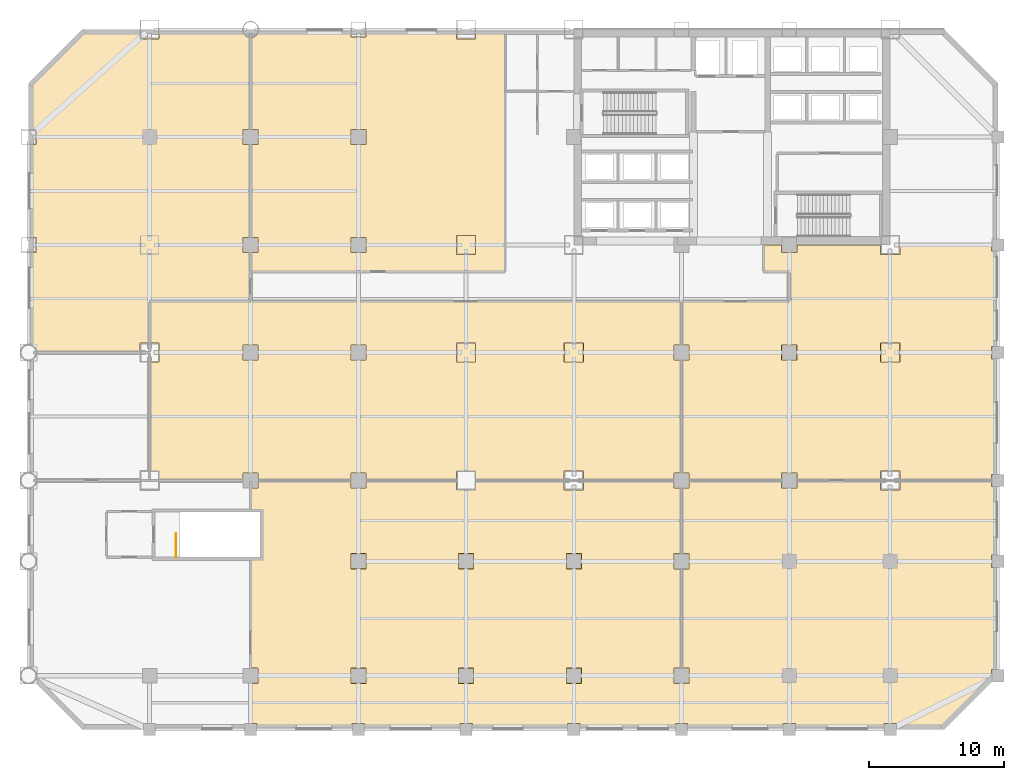
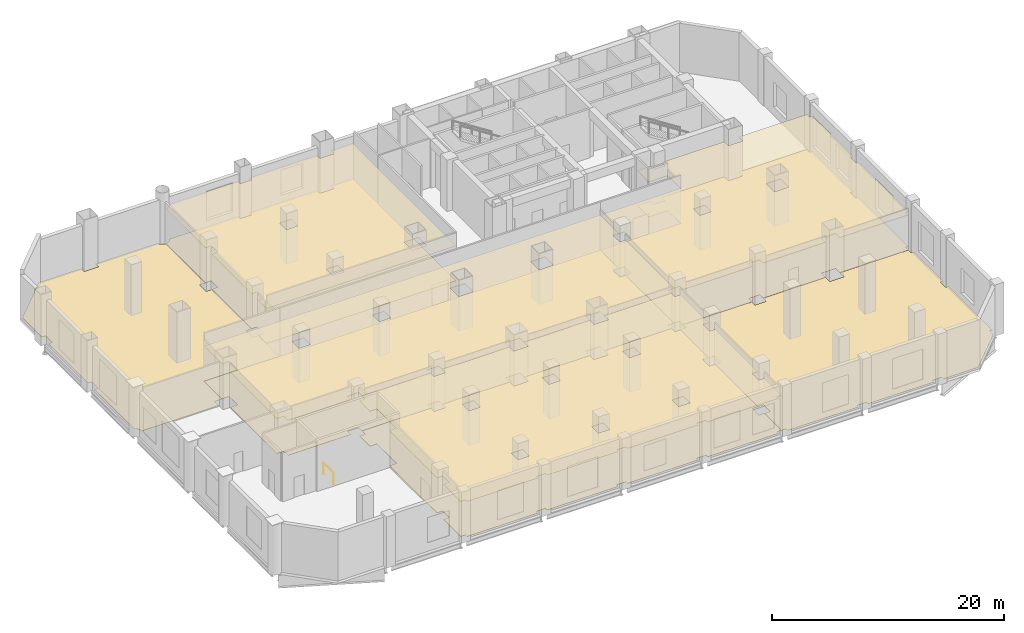
# One storey, part 8 of 9: 10 coverings, 1 railing.
"""IFC4 building model written with IfcOpenShell, lengths in metres."""

from ifc_helpers import new_model, si_unit, direction, frame, origin, origin_2d, place, context, subcontext, project, spatial, polyline, circle, outline, extrude, material, layer, layer_set, type_object, element, save


model = new_model("IFC4")

# Units and contexts
model_context = context("Model", 3, precision=1e-05, world=origin(), true_north=direction((0.0, 1.0)))
body_context = subcontext(model_context, "Body", "Model", "MODEL_VIEW")
ifc_project = project(units=[si_unit("LENGTHUNIT", "METRE"), si_unit("AREAUNIT", "SQUARE_METRE"), si_unit("VOLUMEUNIT", "CUBIC_METRE"), si_unit("PLANEANGLEUNIT", "RADIAN"), si_unit("MASSUNIT", "GRAM", prefix="KILO")], contexts=[model_context])

# Site, building, storey
site_placement = place(None, origin())
site = spatial("IfcSite", under=ifc_project, at=site_placement, CompositionType="ELEMENT")
building_placement = place(site_placement, origin())
building = spatial("IfcBuilding", under=site, at=building_placement, Name="Qianrong Seaharbour Tower", CompositionType="ELEMENT")
storey_placement = place(building_placement, frame((0.0, 0.0, 22.800048828125)))
storey = spatial("IfcBuildingStorey", under=building, at=storey_placement, Name="L05", CompositionType="ELEMENT", Elevation=22.800048828125)

# Coverings
ifc_material_1 = material(Name="Mineral fibre acoustic suspended ceiling board")
ifc_layer_1 = layer(ifc_material_1, 0.0400390625)
ifc_layer_set_1 = layer_set([ifc_layer_1], Name="Mineral fibre acoustic suspended ceiling board")
covering_type_1 = type_object("IfcCoveringType", Name="COV-CEIL-ACOUSTIC-40", PredefinedType="CEILING", material=ifc_layer_set_1)
covering_1_placement = place(storey_placement, frame((0.0, 0.0, 3.68994140625)))
element("IfcCovering", 1, at=covering_1_placement, inside=storey, type_object=covering_type_1, Name="L05 Catering Management Open-Plan Office Acoustic Ceiling", PredefinedType="CEILING", context=body_context, shape_type="SweptSolid", body=[
    extrude(outline(polyline([(16.5, 35.43994140625), (17.06005859375, 35.43994140625), (17.06005859375, 36.56005859375), (16.5, 36.56005859375), (16.5, 43.43994140625), (17.06005859375, 43.43994140625), (17.06005859375, 44.56005859375), (16.5, 44.56005859375), (16.5, 51.389892578125), (16.618896484375, 51.401611328125), (16.7333984375, 51.436279296875), (16.8388671875, 51.492919921875), (16.931396484375, 51.568603515625), (17.007080078125, 51.6611328125), (17.063720703125, 51.7666015625), (17.078369140625, 51.81494140625), (23.93994140625, 51.81494140625), (23.93994140625, 51.43994140625), (25.06005859375, 51.43994140625), (25.06005859375, 51.81494140625), (31.7900390625, 51.81494140625), (31.7900390625, 51.2900390625), (33.2099609375, 51.2900390625), (33.2099609375, 51.81494140625), (35.39990234375, 51.81494140625), (35.39990234375, 34.0), (16.5, 34.0), (16.5, 35.43994140625)]), holes=[polyline([(31.7900390625, 35.2900390625), (33.2099609375, 35.2900390625), (33.2099609375, 36.7099609375), (31.7900390625, 36.7099609375), (31.7900390625, 35.2900390625)]), polyline([(23.93994140625, 36.56005859375), (23.93994140625, 35.43994140625), (25.06005859375, 35.43994140625), (25.06005859375, 36.56005859375), (23.93994140625, 36.56005859375)]), polyline([(23.93994140625, 43.43994140625), (25.06005859375, 43.43994140625), (25.06005859375, 44.56005859375), (23.93994140625, 44.56005859375), (23.93994140625, 43.43994140625)])]), origin(), (0.0, 0.0, 1.0), 0.0400390625),
])
ifc_material_2 = material(Name="Perforated acoustic gypsum ceiling board")
ifc_layer_2 = layer(ifc_material_2, 0.050048828125)
ifc_layer_set_2 = layer_set([ifc_layer_2], Name="Perforated acoustic gypsum ceiling board")
covering_type_2 = type_object("IfcCoveringType", Name="COV-CEIL-GYPSUM-50", PredefinedType="CEILING", material=ifc_layer_set_2)
covering_2_placement = place(storey_placement, frame((0.0, 0.0, 3.679931640625)))
element("IfcCovering", 2, at=covering_2_placement, inside=storey, type_object=covering_type_2, Name="L05 Staff Restaurant Acoustic Ceiling", PredefinedType="CEILING", context=body_context, shape_type="SweptSolid", body=[
    extrude(outline(polyline([(48.5, 31.800048828125), (48.5, 28.56005859375), (47.93994140625, 28.56005859375), (47.93994140625, 27.43994140625), (48.5, 27.43994140625), (48.5, 19.06005859375), (47.93994140625, 19.06005859375), (47.93994140625, 18.5), (41.2099609375, 18.5), (41.2099609375, 19.2099609375), (39.7900390625, 19.2099609375), (39.7900390625, 18.5), (33.2099609375, 18.5), (33.2099609375, 19.2099609375), (31.7900390625, 19.2099609375), (31.7900390625, 18.5), (25.06005859375, 18.5), (25.06005859375, 19.06005859375), (23.93994140625, 19.06005859375), (23.93994140625, 18.5), (17.06005859375, 18.5), (17.06005859375, 19.06005859375), (15.93994140625, 19.06005859375), (15.93994140625, 18.5), (9.7099609375, 18.5), (9.7099609375, 19.2099609375), (9.0, 19.2099609375), (9.0, 27.2900390625), (9.7099609375, 27.2900390625), (9.7099609375, 28.7099609375), (9.0, 28.7099609375), (9.0, 31.800048828125), (48.5, 31.800048828125)]), holes=[polyline([(39.7900390625, 27.2900390625), (41.2099609375, 27.2900390625), (41.2099609375, 28.7099609375), (39.7900390625, 28.7099609375), (39.7900390625, 27.2900390625)]), polyline([(31.7900390625, 28.7099609375), (31.7900390625, 27.2900390625), (33.2099609375, 27.2900390625), (33.2099609375, 28.7099609375), (31.7900390625, 28.7099609375)]), polyline([(23.93994140625, 27.43994140625), (25.06005859375, 27.43994140625), (25.06005859375, 28.56005859375), (23.93994140625, 28.56005859375), (23.93994140625, 27.43994140625)]), polyline([(15.93994140625, 27.43994140625), (17.06005859375, 27.43994140625), (17.06005859375, 28.56005859375), (15.93994140625, 28.56005859375), (15.93994140625, 27.43994140625)])]), origin(), (0.0, 0.0, 1.0), 0.050048828125),
])
covering_3_placement = place(storey_placement, frame((0.0, 0.0, 3.679931640625)))
element("IfcCovering", 3, at=covering_3_placement, inside=storey, type_object=covering_type_2, Name="L05 Harbour Promenade Bistro Acoustic Ceiling", PredefinedType="CEILING", context=body_context, shape_type="SweptSolid", body=[
    extrude(outline(polyline([(48.5, 13.06005859375), (47.93994140625, 13.06005859375), (47.93994140625, 11.93994140625), (48.5, 11.93994140625), (48.5, 4.56005859375), (47.93994140625, 4.56005859375), (47.93994140625, 3.43994140625), (48.5, 3.43994140625), (48.5, 0.4599609375), (48.0400390625, 0.4599609375), (48.0400390625, 0.18505859375), (40.9599609375, 0.18505859375), (40.9599609375, 0.4599609375), (40.0400390625, 0.4599609375), (40.0400390625, 0.18505859375), (32.9599609375, 0.18505859375), (32.9599609375, 0.4599609375), (32.0400390625, 0.4599609375), (32.0400390625, 0.18505859375), (24.9599609375, 0.18505859375), (24.9599609375, 0.4599609375), (24.0400390625, 0.4599609375), (24.0400390625, 0.18505859375), (16.9599609375, 0.18505859375), (16.9599609375, 0.4599609375), (16.5, 0.4599609375), (16.5, 3.43994140625), (17.06005859375, 3.43994140625), (17.06005859375, 4.56005859375), (16.5, 4.56005859375), (16.5, 12.800048828125), (17.199951171875, 12.800048828125), (17.199951171875, 16.14990234375), (16.5, 16.14990234375), (16.5, 17.93994140625), (17.06005859375, 17.93994140625), (17.06005859375, 18.5), (23.93994140625, 18.5), (23.93994140625, 17.93994140625), (25.06005859375, 17.93994140625), (25.06005859375, 18.5), (31.7900390625, 18.5), (31.7900390625, 17.7900390625), (33.2099609375, 17.7900390625), (33.2099609375, 18.5), (39.7900390625, 18.5), (39.7900390625, 17.7900390625), (41.2099609375, 17.7900390625), (41.2099609375, 18.5), (47.93994140625, 18.5), (47.93994140625, 17.93994140625), (48.5, 17.93994140625), (48.5, 13.06005859375)]), holes=[polyline([(39.93994140625, 3.43994140625), (41.06005859375, 3.43994140625), (41.06005859375, 4.56005859375), (39.93994140625, 4.56005859375), (39.93994140625, 3.43994140625)]), polyline([(39.93994140625, 13.06005859375), (39.93994140625, 11.93994140625), (41.06005859375, 11.93994140625), (41.06005859375, 13.06005859375), (39.93994140625, 13.06005859375)]), polyline([(31.93994140625, 3.43994140625), (33.06005859375, 3.43994140625), (33.06005859375, 4.56005859375), (31.93994140625, 4.56005859375), (31.93994140625, 3.43994140625)]), polyline([(31.93994140625, 11.93994140625), (33.06005859375, 11.93994140625), (33.06005859375, 13.06005859375), (31.93994140625, 13.06005859375), (31.93994140625, 11.93994140625)]), polyline([(23.93994140625, 3.43994140625), (25.06005859375, 3.43994140625), (25.06005859375, 4.56005859375), (23.93994140625, 4.56005859375), (23.93994140625, 3.43994140625)]), polyline([(23.93994140625, 11.93994140625), (25.06005859375, 11.93994140625), (25.06005859375, 13.06005859375), (23.93994140625, 13.06005859375), (23.93994140625, 11.93994140625)])]), origin(), (0.0, 0.0, 1.0), 0.050048828125),
])
covering_4_placement = place(storey_placement, frame((0.0, 0.0, 3.679931640625)))
element("IfcCovering", 4, at=covering_4_placement, inside=storey, type_object=covering_type_2, Name="L05 Executive Dining Room Acoustic Ceiling", PredefinedType="CEILING", context=body_context, shape_type="SweptSolid", body=[
    extrude(outline(polyline([(56.5, 31.800048828125), (56.5, 34.0), (54.60009765625, 34.0), (54.60009765625, 36.0), (55.93994140625, 36.0), (55.93994140625, 35.43994140625), (57.06005859375, 35.43994140625), (57.06005859375, 36.0), (63.2900390625, 36.0), (63.2900390625, 35.2900390625), (64.7099609375, 35.2900390625), (64.7099609375, 36.0), (71.5400390625, 36.0), (71.5400390625, 35.5400390625), (71.81494140625, 35.5400390625), (71.81494140625, 28.4599609375), (71.5400390625, 28.4599609375), (71.5400390625, 27.5400390625), (71.81494140625, 27.5400390625), (71.81494140625, 18.9599609375), (71.5400390625, 18.9599609375), (71.5400390625, 18.5), (64.7099609375, 18.5), (64.7099609375, 19.2099609375), (63.2900390625, 19.2099609375), (63.2900390625, 18.5), (57.06005859375, 18.5), (57.06005859375, 19.06005859375), (55.93994140625, 19.06005859375), (55.93994140625, 18.5), (49.06005859375, 18.5), (49.06005859375, 19.06005859375), (48.5, 19.06005859375), (48.5, 27.43994140625), (49.06005859375, 27.43994140625), (49.06005859375, 28.56005859375), (48.5, 28.56005859375), (48.5, 31.800048828125), (56.5, 31.800048828125)]), holes=[polyline([(63.2900390625, 28.7099609375), (63.2900390625, 27.2900390625), (64.7099609375, 27.2900390625), (64.7099609375, 28.7099609375), (63.2900390625, 28.7099609375)]), polyline([(55.93994140625, 28.56005859375), (55.93994140625, 27.43994140625), (57.06005859375, 27.43994140625), (57.06005859375, 28.56005859375), (55.93994140625, 28.56005859375)])]), origin(), (0.0, 0.0, 1.0), 0.050048828125),
])
ifc_material_3 = material(Name="Acoustic modular carpet tile flooring")
ifc_layer_3 = layer(ifc_material_3, 0.02001953125)
ifc_layer_set_3 = layer_set([ifc_layer_3], Name="Acoustic modular carpet tile flooring")
covering_type_3 = type_object("IfcCoveringType", Name="COV-FLOOR-CARPET-20", PredefinedType="FLOORING", material=ifc_layer_set_3)
covering_5_placement = place(storey_placement, origin())
element("IfcCovering", 5, at=covering_5_placement, inside=storey, type_object=covering_type_3, Name="L05 Commercial Kitchen Finish Flooring", PredefinedType="FLOORING", context=body_context, shape_type="SweptSolid", body=[
    extrude(outline(polyline([(0.18505859375, 35.43994140625), (0.56005859375, 35.43994140625), (0.56005859375, 36.56005859375), (0.18505859375, 36.56005859375), (0.18505859375, 43.43994140625), (0.56005859375, 43.43994140625), (0.56005859375, 44.56005859375), (0.18505859375, 44.56005859375), (0.18505859375, 47.92333984375), (4.07666015625, 51.81494140625), (8.2900390625, 51.81494140625), (8.2900390625, 51.2900390625), (9.7099609375, 51.2900390625), (9.7099609375, 51.81494140625), (15.921630859375, 51.81494140625), (15.936279296875, 51.7666015625), (15.992919921875, 51.6611328125), (16.068603515625, 51.568603515625), (16.1611328125, 51.492919921875), (16.2666015625, 51.436279296875), (16.381103515625, 51.401611328125), (16.5, 51.389892578125), (16.5, 44.56005859375), (15.93994140625, 44.56005859375), (15.93994140625, 43.43994140625), (16.5, 43.43994140625), (16.5, 36.56005859375), (15.93994140625, 36.56005859375), (15.93994140625, 35.43994140625), (16.5, 35.43994140625), (16.5, 31.800048828125), (9.0, 31.800048828125), (9.0, 28.7099609375), (8.2900390625, 28.7099609375), (8.2900390625, 28.0), (0.610107421875, 28.0), (0.598388671875, 28.118896484375), (0.563720703125, 28.2333984375), (0.507080078125, 28.3388671875), (0.431396484375, 28.431396484375), (0.3388671875, 28.507080078125), (0.2333984375, 28.563720703125), (0.18505859375, 28.578369140625), (0.18505859375, 35.43994140625)])), origin(), (0.0, 0.0, 1.0), 0.02001953125),
])
covering_6_placement = place(storey_placement, origin())
element("IfcCovering", 6, at=covering_6_placement, inside=storey, type_object=covering_type_3, Name="L05 Staff Tea Lounge Finish Flooring", PredefinedType="FLOORING", context=body_context, shape_type="SweptSolid", body=[
    extrude(outline(polyline([(71.81494140625, 12.9599609375), (71.5400390625, 12.9599609375), (71.5400390625, 12.0400390625), (71.81494140625, 12.0400390625), (71.81494140625, 4.4599609375), (71.5400390625, 4.4599609375), (71.5400390625, 3.801513671875), (67.92333984375, 0.18505859375), (64.4599609375, 0.18505859375), (64.4599609375, 0.4599609375), (63.5400390625, 0.4599609375), (63.5400390625, 0.18505859375), (56.9599609375, 0.18505859375), (56.9599609375, 0.4599609375), (56.0400390625, 0.4599609375), (56.0400390625, 0.18505859375), (48.9599609375, 0.18505859375), (48.9599609375, 0.4599609375), (48.5, 0.4599609375), (48.5, 3.43994140625), (49.06005859375, 3.43994140625), (49.06005859375, 4.56005859375), (48.5, 4.56005859375), (48.5, 11.93994140625), (49.06005859375, 11.93994140625), (49.06005859375, 13.06005859375), (48.5, 13.06005859375), (48.5, 17.93994140625), (49.06005859375, 17.93994140625), (49.06005859375, 18.5), (55.93994140625, 18.5), (55.93994140625, 17.93994140625), (57.06005859375, 17.93994140625), (57.06005859375, 18.5), (63.2900390625, 18.5), (63.2900390625, 17.7900390625), (64.7099609375, 17.7900390625), (64.7099609375, 18.5), (71.5400390625, 18.5), (71.5400390625, 18.0400390625), (71.81494140625, 18.0400390625), (71.81494140625, 12.9599609375)])), origin(), (0.0, 0.0, 1.0), 0.02001953125),
])
ifc_material_4 = material(Name="Honed granite stone flooring", Category="masonry")
ifc_layer_4 = layer(ifc_material_4, 0.030029296875)
ifc_layer_set_4 = layer_set([ifc_layer_4], Name="Honed granite stone flooring")
covering_type_4 = type_object("IfcCoveringType", Name="COV-FLOOR-GRANITE-30", PredefinedType="FLOORING", material=ifc_layer_set_4)
covering_7_placement = place(storey_placement, origin())
element("IfcCovering", 7, at=covering_7_placement, inside=storey, type_object=covering_type_4, Name="L05 Staff Restaurant Finish Flooring", PredefinedType="FLOORING", context=body_context, shape_type="SweptSolid", body=[
    extrude(outline(polyline([(48.5, 31.800048828125), (48.5, 28.56005859375), (47.93994140625, 28.56005859375), (47.93994140625, 27.43994140625), (48.5, 27.43994140625), (48.5, 19.06005859375), (47.93994140625, 19.06005859375), (47.93994140625, 18.5), (41.2099609375, 18.5), (41.2099609375, 19.2099609375), (39.7900390625, 19.2099609375), (39.7900390625, 18.5), (33.2099609375, 18.5), (33.2099609375, 19.2099609375), (31.7900390625, 19.2099609375), (31.7900390625, 18.5), (25.06005859375, 18.5), (25.06005859375, 19.06005859375), (23.93994140625, 19.06005859375), (23.93994140625, 18.5), (17.06005859375, 18.5), (17.06005859375, 19.06005859375), (15.93994140625, 19.06005859375), (15.93994140625, 18.5), (9.7099609375, 18.5), (9.7099609375, 19.2099609375), (9.0, 19.2099609375), (9.0, 27.2900390625), (9.7099609375, 27.2900390625), (9.7099609375, 28.7099609375), (9.0, 28.7099609375), (9.0, 31.800048828125), (48.5, 31.800048828125)])), origin(), (0.0, 0.0, 1.0), 0.030029296875),
])
covering_8_placement = place(storey_placement, origin())
element("IfcCovering", 8, at=covering_8_placement, inside=storey, type_object=covering_type_4, Name="L05 Harbour Promenade Bistro Finish Flooring", PredefinedType="FLOORING", context=body_context, shape_type="SweptSolid", body=[
    extrude(outline(polyline([(48.5, 13.06005859375), (47.93994140625, 13.06005859375), (47.93994140625, 11.93994140625), (48.5, 11.93994140625), (48.5, 4.56005859375), (47.93994140625, 4.56005859375), (47.93994140625, 3.43994140625), (48.5, 3.43994140625), (48.5, 0.4599609375), (48.0400390625, 0.4599609375), (48.0400390625, 0.18505859375), (40.9599609375, 0.18505859375), (40.9599609375, 0.4599609375), (40.0400390625, 0.4599609375), (40.0400390625, 0.18505859375), (32.9599609375, 0.18505859375), (32.9599609375, 0.4599609375), (32.0400390625, 0.4599609375), (32.0400390625, 0.18505859375), (24.9599609375, 0.18505859375), (24.9599609375, 0.4599609375), (24.0400390625, 0.4599609375), (24.0400390625, 0.18505859375), (16.9599609375, 0.18505859375), (16.9599609375, 0.4599609375), (16.5, 0.4599609375), (16.5, 3.43994140625), (17.06005859375, 3.43994140625), (17.06005859375, 4.56005859375), (16.5, 4.56005859375), (16.5, 12.800048828125), (17.199951171875, 12.800048828125), (17.199951171875, 16.14990234375), (16.5, 16.14990234375), (16.5, 17.93994140625), (17.06005859375, 17.93994140625), (17.06005859375, 18.5), (23.93994140625, 18.5), (23.93994140625, 17.93994140625), (25.06005859375, 17.93994140625), (25.06005859375, 18.5), (31.7900390625, 18.5), (31.7900390625, 17.7900390625), (33.2099609375, 17.7900390625), (33.2099609375, 18.5), (39.7900390625, 18.5), (39.7900390625, 17.7900390625), (41.2099609375, 17.7900390625), (41.2099609375, 18.5), (47.93994140625, 18.5), (47.93994140625, 17.93994140625), (48.5, 17.93994140625), (48.5, 13.06005859375)])), origin(), (0.0, 0.0, 1.0), 0.030029296875),
])
covering_9_placement = place(storey_placement, origin())
element("IfcCovering", 9, at=covering_9_placement, inside=storey, type_object=covering_type_4, Name="L05 Executive Dining Room Finish Flooring", PredefinedType="FLOORING", context=body_context, shape_type="SweptSolid", body=[
    extrude(outline(polyline([(56.5, 31.800048828125), (56.5, 34.0), (54.60009765625, 34.0), (54.60009765625, 36.0), (55.93994140625, 36.0), (55.93994140625, 35.43994140625), (57.06005859375, 35.43994140625), (57.06005859375, 36.0), (63.2900390625, 36.0), (63.2900390625, 35.2900390625), (64.7099609375, 35.2900390625), (64.7099609375, 36.0), (71.5400390625, 36.0), (71.5400390625, 35.5400390625), (71.81494140625, 35.5400390625), (71.81494140625, 28.4599609375), (71.5400390625, 28.4599609375), (71.5400390625, 27.5400390625), (71.81494140625, 27.5400390625), (71.81494140625, 18.9599609375), (71.5400390625, 18.9599609375), (71.5400390625, 18.5), (64.7099609375, 18.5), (64.7099609375, 19.2099609375), (63.2900390625, 19.2099609375), (63.2900390625, 18.5), (57.06005859375, 18.5), (57.06005859375, 19.06005859375), (55.93994140625, 19.06005859375), (55.93994140625, 18.5), (49.06005859375, 18.5), (49.06005859375, 19.06005859375), (48.5, 19.06005859375), (48.5, 27.43994140625), (49.06005859375, 27.43994140625), (49.06005859375, 28.56005859375), (48.5, 28.56005859375), (48.5, 31.800048828125), (56.5, 31.800048828125)])), origin(), (0.0, 0.0, 1.0), 0.030029296875),
])
ifc_material_5 = material(Name="Calcium-sulphate raised access floor tile")
ifc_layer_5 = layer(ifc_material_5, 0.044921875)
ifc_layer_set_5 = layer_set([ifc_layer_5], Name="Calcium-sulphate raised access floor tile")
covering_type_5 = type_object("IfcCoveringType", Name="COV-FLOOR-RAISED-45", PredefinedType="FLOORING", material=ifc_layer_set_5)
covering_10_placement = place(storey_placement, origin())
element("IfcCovering", 10, at=covering_10_placement, inside=storey, type_object=covering_type_5, Name="L05 Catering Management Open-Plan Office Finish Flooring", PredefinedType="FLOORING", context=body_context, shape_type="SweptSolid", body=[
    extrude(outline(polyline([(16.5, 35.43994140625), (17.06005859375, 35.43994140625), (17.06005859375, 36.56005859375), (16.5, 36.56005859375), (16.5, 43.43994140625), (17.06005859375, 43.43994140625), (17.06005859375, 44.56005859375), (16.5, 44.56005859375), (16.5, 51.389892578125), (16.618896484375, 51.401611328125), (16.7333984375, 51.436279296875), (16.8388671875, 51.492919921875), (16.931396484375, 51.568603515625), (17.007080078125, 51.6611328125), (17.063720703125, 51.7666015625), (17.078369140625, 51.81494140625), (23.93994140625, 51.81494140625), (23.93994140625, 51.43994140625), (25.06005859375, 51.43994140625), (25.06005859375, 51.81494140625), (31.7900390625, 51.81494140625), (31.7900390625, 51.2900390625), (33.2099609375, 51.2900390625), (33.2099609375, 51.81494140625), (35.39990234375, 51.81494140625), (35.39990234375, 34.0), (16.5, 34.0), (16.5, 35.43994140625)])), origin(), (0.0, 0.0, 1.0), 0.044921875),
])

# Railing
ifc_material_6 = material(Name="Galvanized painted steel SN400B stair guard", Category="steel")
railing_type = type_object("IfcRailingType", Name="RAIL-STAIR-GUARD-1220", PredefinedType="GUARDRAIL", material=ifc_material_6)
railing_placement = place(storey_placement, frame((10.949951171875, 12.800048828125, 0.0)))
element("IfcRailing", 11, at=railing_placement, inside=storey, type_object=railing_type, Name="L05 PST-3 top well guard 1", PredefinedType="GUARDRAIL", context=body_context, shape_type="SweptSolid", body=[
    extrude(circle(Radius=0.02392578125, at=origin_2d()), frame((0.0, 0.0, 1.19580078125), z_axis=(0.0, 1.0, 0.0), x_axis=(-1.0, 0.0, 0.0)), (0.0, 0.0, 1.0), 1.75),
    extrude(circle(Radius=0.02099609375, at=origin_2d()), origin(), (0.0, 0.0, 1.0), 1.171875),
    extrude(circle(Radius=0.02099609375, at=origin_2d()), frame((0.0, 1.75, 0.0)), (0.0, 0.0, 1.0), 1.171875),
])

save(model, "model.ifc")
